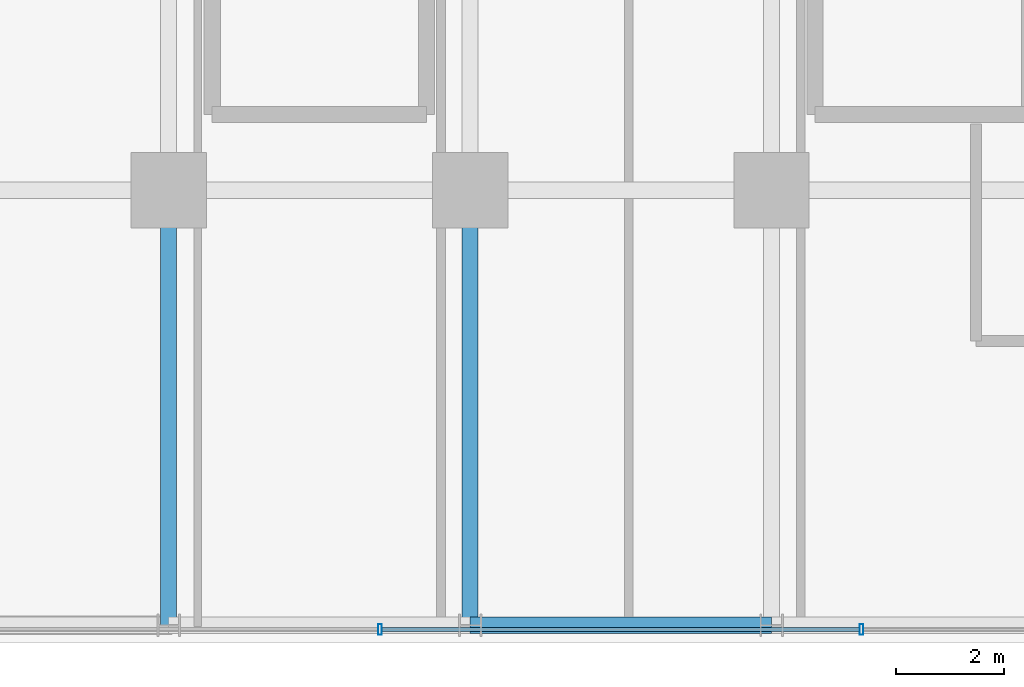
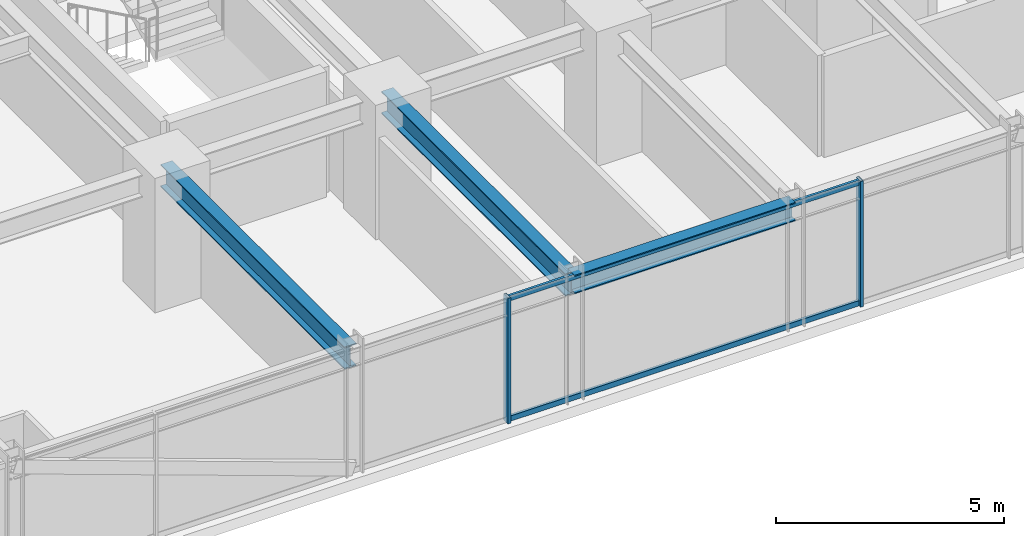
# One storey, part 7 of 47: 4 members, 3 beams, 1 element without a shape of its own.
"""IFC4 building model written with IfcOpenShell, lengths in metres."""

from ifc_helpers import new_model, si_unit, direction, frame, origin, origin_2d, place, context, subcontext, project, spatial, hollow_rectangle, i_section, extrude, source, transform, mapped, material, material_profile, profile_set, type_object, element, aggregate, save


model = new_model("IFC4")

# Units and contexts
model_context = context("Model", 3, precision=1e-05, world=origin(), true_north=direction((0.0, 1.0)))
body_context = subcontext(model_context, "Body", "Model", "MODEL_VIEW")
ifc_project = project(units=[si_unit("LENGTHUNIT", "METRE"), si_unit("AREAUNIT", "SQUARE_METRE"), si_unit("VOLUMEUNIT", "CUBIC_METRE"), si_unit("PLANEANGLEUNIT", "RADIAN"), si_unit("MASSUNIT", "GRAM", prefix="KILO")], contexts=[model_context])

# Site, building, storey
site_placement = place(None, origin())
site = spatial("IfcSite", under=ifc_project, at=site_placement, CompositionType="ELEMENT")
building_placement = place(site_placement, origin())
building = spatial("IfcBuilding", under=site, at=building_placement, Name="Nahalor Promenade Grand Hotel", CompositionType="ELEMENT")
storey_placement = place(building_placement, frame((0.0, 0.0, 68.89990234375)))
storey = spatial("IfcBuildingStorey", under=building, at=storey_placement, Name="L16", CompositionType="ELEMENT", Elevation=68.89990234375)

# Beams
ifc_material_1 = material(Name="Steel S355JR", Category="steel")
ifc_material_profile_1 = material_profile(ifc_material_1, i_section(OverallWidth=0.3, OverallDepth=0.5, WebThickness=0.0145, FlangeThickness=0.028, at=origin_2d()), Name="HEB 500")
ifc_profile_set_1 = profile_set([ifc_material_profile_1], Name="Steel S355JR")
beam_type_1 = type_object("IfcBeamType", Name="Beam-Spandrel-HEB500", PredefinedType="SPANDREL", material=ifc_profile_set_1)
shared_shape_1 = source(origin(), body_context, "Body", "SweptSolid", [
    extrude(i_section(OverallWidth=0.3, OverallDepth=0.5, WebThickness=0.0145, FlangeThickness=0.028, at=origin_2d()), origin(), (0.0, 0.0, 1.0), 5.60009765625),
])
beam_placement = place(storey_placement, frame((-2.800048828125, -25.080078125, 3.1201171875), z_axis=(1.0, 0.0, 0.0), x_axis=(0.0, 1.0, 0.0)))
element("IfcBeam", 1, at=beam_placement, inside=storey, type_object=beam_type_1, Name="BM-L16-SP-S-2", PredefinedType="SPANDREL", context=body_context, shape_type="MappedRepresentation", body=[
    mapped(shared_shape_1, transform((0.0, 0.0, 0.0), scale=1.0)),
])
ifc_material_profile_2 = material_profile(ifc_material_1, i_section(OverallWidth=0.3, OverallDepth=0.6, WebThickness=0.0155, FlangeThickness=0.03, at=origin_2d()), Name="HEB 600")
ifc_profile_set_2 = profile_set([ifc_material_profile_2], Name="Steel S355JR")
beam_type_2 = type_object("IfcBeamType", Name="Beam-Girder-HEB600", PredefinedType="BEAM", material=ifc_profile_set_2)
shared_shape_2 = source(origin(), body_context, "Body", "SweptSolid", [
    extrude(i_section(OverallWidth=0.3, OverallDepth=0.6, WebThickness=0.0155, FlangeThickness=0.03, at=origin_2d()), origin(), (0.0, 0.0, 1.0), 8.080078125),
])
for number, where, z_axis, x_axis, name in (
    (2, (-8.39990234375, -25.080078125, 3.070068359375), (0.0, 1.0, 0.0), (-1.0, 0.0, 0.0), "BM-L16-GY-1-0"),
    (3, (-2.800048828125, -25.080078125, 3.070068359375), (0.0, 1.0, 0.0), (-1.0, 0.0, 0.0), "BM-L16-GY-2-0"),
):
    element("IfcBeam", number, at=place(storey_placement, frame(where, z_axis=z_axis, x_axis=x_axis)), inside=storey, type_object=beam_type_2, Name=name, PredefinedType="BEAM", context=body_context, shape_type="MappedRepresentation", body=[
        mapped(shared_shape_2, transform((0.0, 0.0, 0.0), scale=1.0)),
    ])

# Curtain wall, members
ifc_material_2 = material(Name="Anodised Bronze Aluminium EN AW-6063 T6", Category="aluminium")
curtain_wall_type = type_object("IfcCurtainWallType", Name="CW3 Elliptical-Void Collar Unitised Curtain Wall", PredefinedType="USERDEFINED", material=ifc_material_2)
curtain_wall_placement = place(storey_placement, origin())
curtain_wall = element("IfcCurtainWall", 4, at=curtain_wall_placement, inside=storey, type_object=curtain_wall_type, Name="L16 Curtain Wall CW-L16-S-1", ObjectType="UNITISED_CURTAIN_WALL", PredefinedType="USERDEFINED")
ifc_material_profile_3 = material_profile(ifc_material_2, hollow_rectangle(XDim=0.07, YDim=0.14, WallThickness=0.004, at=origin_2d()), Name="CWT 70x140x4")
ifc_profile_set_3 = profile_set([ifc_material_profile_3], Name="Anodised Bronze Aluminium EN AW-6063 T6")
member_type_1 = type_object("IfcMemberType", Name="CWT3 Void Collar Transom 70x140", PredefinedType="USERDEFINED", material=ifc_profile_set_3)
shared_shape_3 = source(origin(), body_context, "Body", "SweptSolid", [
    extrude(hollow_rectangle(XDim=0.07, YDim=0.14, WallThickness=0.004, at=origin_2d()), origin(), (0.0, 0.0, 1.0), 8.8740234375),
])
member_1_placement = place(storey_placement, frame((-4.43701171875, -25.159912109375, 0.070068359375), z_axis=(1.0, 0.0, 0.0), x_axis=(0.0, 1.0, 0.0)))
member_1 = element("IfcMember", 5, at=member_1_placement, type_object=member_type_1, Name="CW-L16-S-1 Transom 2-0", ObjectType="TRANSOM", PredefinedType="USERDEFINED", context=body_context, shape_type="MappedRepresentation", body=[
    mapped(shared_shape_3, transform((0.0, 0.0, 0.0), scale=1.0)),
])
member_2_placement = place(storey_placement, frame((-4.43701171875, -25.159912109375, 3.300048828125), z_axis=(1.0, 0.0, 0.0), x_axis=(0.0, 1.0, 0.0)))
member_2 = element("IfcMember", 6, at=member_2_placement, type_object=member_type_1, Name="CW-L16-S-1 Transom 2-1", ObjectType="TRANSOM", PredefinedType="USERDEFINED", context=body_context, shape_type="MappedRepresentation", body=[
    mapped(shared_shape_3, transform((0.0, 0.0, 0.0), scale=1.0)),
])
ifc_material_profile_4 = material_profile(ifc_material_2, hollow_rectangle(XDim=0.07, YDim=0.2, WallThickness=0.005, at=origin_2d()), Name="CWM 70x200x5")
ifc_profile_set_4 = profile_set([ifc_material_profile_4], Name="Anodised Bronze Aluminium EN AW-6063 T6")
member_type_2 = type_object("IfcMemberType", Name="CWM3 Void Collar Mullion 70x200", PredefinedType="MULLION", material=ifc_profile_set_4)
shared_shape_4 = source(origin(), body_context, "Body", "SweptSolid", [
    extrude(hollow_rectangle(XDim=0.07, YDim=0.2, WallThickness=0.005, at=origin_2d()), origin(), (0.0, 0.0, 1.0), 3.3701171875),
])
member_3_placement = place(storey_placement, frame((-4.471923828125, -25.159912109375, 0.0), z_axis=(0.0, 0.0, 1.0), x_axis=(1.0, 0.0, 0.0)))
member_3 = element("IfcMember", 7, at=member_3_placement, type_object=member_type_2, Name="CW-L16-S-1 Mullion 2", PredefinedType="MULLION", context=body_context, shape_type="MappedRepresentation", body=[
    mapped(shared_shape_4, transform((0.0, 0.0, 0.0), scale=1.0)),
])
member_4_placement = place(storey_placement, frame((4.471923828125, -25.159912109375, 0.0), z_axis=(0.0, 0.0, 1.0), x_axis=(1.0, 0.0, 0.0)))
member_4 = element("IfcMember", 8, at=member_4_placement, type_object=member_type_2, Name="CW-L16-S-1 Mullion 3", PredefinedType="MULLION", context=body_context, shape_type="MappedRepresentation", body=[
    mapped(shared_shape_4, transform((0.0, 0.0, 0.0), scale=1.0)),
])
aggregate(curtain_wall, [member_3, member_4, member_1, member_2])

save(model, "model.ifc")
